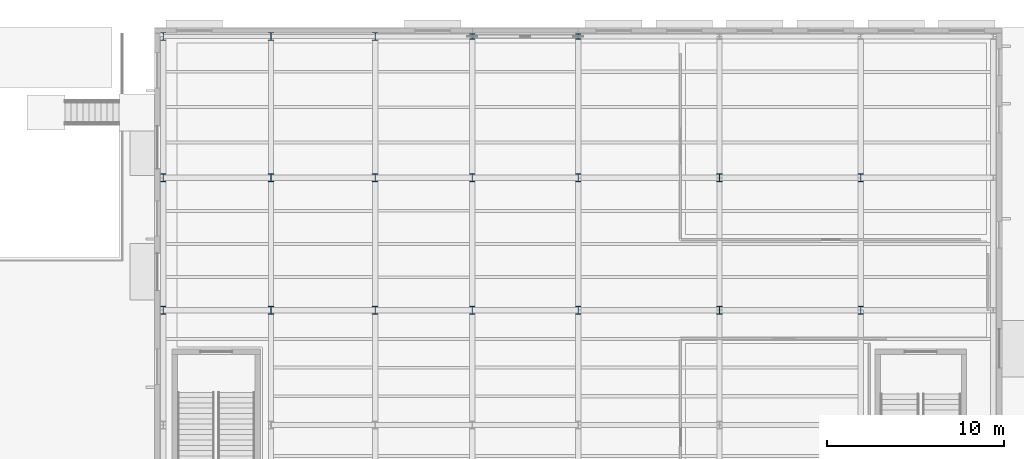
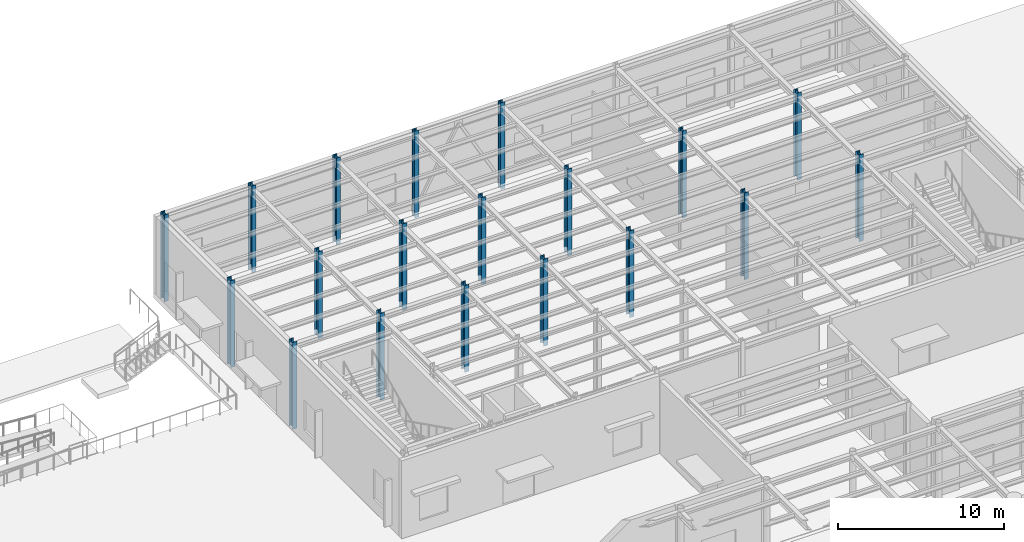
# One storey, part 11 of 118: 19 columns.
"""IFC4 building model written with IfcOpenShell, lengths in metres."""

from ifc_helpers import new_model, si_unit, direction, frame, origin, origin_2d, place, context, subcontext, project, spatial, i_section, extrude, material, material_profile, profile_set, type_object, element, save


model = new_model("IFC4")

# Units and contexts
model_context = context("Model", 3, precision=1e-05, world=origin(), true_north=direction((0.0, 1.0)))
body_context = subcontext(model_context, "Body", "Model", "MODEL_VIEW")
ifc_project = project(units=[si_unit("LENGTHUNIT", "METRE"), si_unit("AREAUNIT", "SQUARE_METRE"), si_unit("VOLUMEUNIT", "CUBIC_METRE"), si_unit("PLANEANGLEUNIT", "RADIAN"), si_unit("MASSUNIT", "GRAM", prefix="KILO")], contexts=[model_context])

# Site, building, storey
site_placement = place(None, origin())
site = spatial("IfcSite", under=ifc_project, at=site_placement, CompositionType="ELEMENT")
building_placement = place(site_placement, origin())
building = spatial("IfcBuilding", under=site, at=building_placement, Name="Kolvaren Corner Interchange", CompositionType="ELEMENT")
storey_placement = place(building_placement, origin())
storey = spatial("IfcBuildingStorey", under=building, at=storey_placement, Name="L01", CompositionType="ELEMENT", Elevation=0.0)

# Columns
ifc_material_1 = material(Name="Steel S355", Category="steel")
ifc_material_profile_1 = material_profile(ifc_material_1, i_section(OverallWidth=0.300048828125, OverallDepth=0.449951171875, WebThickness=0.013916015625, FlangeThickness=0.02587890625, FilletRadius=0.027099609375, at=origin_2d()), Name="HEB 450")
ifc_profile_set_1 = profile_set([ifc_material_profile_1], Name="Steel S355")
column_type_1 = type_object("IfcColumnType", Name="COL-HEB450", PredefinedType="COLUMN", material=ifc_profile_set_1)
for number, where, z_axis, x_axis, name in (
    (1, (66.5, 98.0, -0.39990234375), (0.0, 0.0, 1.0), (1.0, 0.0, 0.0), "Storey L01 Structural Column 0853"),
    (2, (66.5, 105.5, -0.39990234375), (0.0, 0.0, 1.0), (1.0, 0.0, 0.0), "Storey L01 Structural Column 0856"),
    (3, (66.5, 113.5, -0.39990234375), (0.0, 0.0, 1.0), (1.0, 0.0, 0.0), "Storey L01 Structural Column 0858"),
    (4, (72.60009765625, 98.0, -0.39990234375), (0.0, 0.0, 1.0), (1.0, 0.0, 0.0), "Storey L01 Structural Column 0866"),
    (5, (72.60009765625, 105.5, -0.39990234375), (0.0, 0.0, 1.0), (1.0, 0.0, 0.0), "Storey L01 Structural Column 0869"),
    (6, (72.60009765625, 113.5, -0.39990234375), (0.0, 0.0, 1.0), (1.0, 0.0, 0.0), "Storey L01 Structural Column 0871"),
    (7, (78.5, 98.0, -0.39990234375), (0.0, 0.0, 1.0), (1.0, 0.0, 0.0), "Storey L01 Structural Column 0879"),
    (8, (78.5, 105.5, -0.39990234375), (0.0, 0.0, 1.0), (1.0, 0.0, 0.0), "Storey L01 Structural Column 0882"),
    (9, (78.5, 113.5, -0.39990234375), (0.0, 0.0, 1.0), (1.0, 0.0, 0.0), "Storey L01 Structural Column 0884"),
    (10, (84.0, 98.0, -0.39990234375), (0.0, 0.0, 1.0), (1.0, 0.0, 0.0), "Storey L01 Structural Column 0890"),
    (11, (84.0, 105.5, -0.39990234375), (0.0, 0.0, 1.0), (1.0, 0.0, 0.0), "Storey L01 Structural Column 0892"),
    (12, (90.0, 98.0, -0.39990234375), (0.0, 0.0, 1.0), (1.0, 0.0, 0.0), "Storey L01 Structural Column 0900"),
    (13, (90.0, 105.5, -0.39990234375), (0.0, 0.0, 1.0), (1.0, 0.0, 0.0), "Storey L01 Structural Column 0902"),
    (14, (98.0, 98.0, -0.39990234375), (0.0, 0.0, 1.0), (1.0, 0.0, 0.0), "Storey L01 Structural Column 0910"),
    (15, (98.0, 105.5, -0.39990234375), (0.0, 0.0, 1.0), (1.0, 0.0, 0.0), "Storey L01 Structural Column 0912"),
    (16, (106.0, 98.0, -0.39990234375), (0.0, 0.0, 1.0), (1.0, 0.0, 0.0), "Storey L01 Structural Column 0920"),
    (17, (106.0, 105.5, -0.39990234375), (0.0, 0.0, 1.0), (1.0, 0.0, 0.0), "Storey L01 Structural Column 0922"),
):
    element("IfcColumn", number, at=place(storey_placement, frame(where, z_axis=z_axis, x_axis=x_axis)), inside=storey, type_object=column_type_1, Name=name, PredefinedType="COLUMN", context=body_context, shape_type="SweptSolid", body=[
        extrude(i_section(OverallWidth=0.300048828125, OverallDepth=0.449951171875, WebThickness=0.013916015625, FlangeThickness=0.02587890625, FilletRadius=0.027099609375, at=origin_2d()), origin(), (0.0, 0.0, 1.0), 6.39990234375),
    ])
ifc_material_2 = material(Name="Steel S355", Category="steel")
ifc_material_profile_2 = material_profile(ifc_material_2, i_section(OverallWidth=0.300048828125, OverallDepth=0.300048828125, WebThickness=0.010986328125, FlangeThickness=0.01904296875, FilletRadius=0.027099609375, at=origin_2d()), Name="HEB 300")
ifc_profile_set_2 = profile_set([ifc_material_profile_2], Name="Steel S355")
column_type_2 = type_object("IfcColumnType", Name="PIL-HEB300", PredefinedType="PILASTER", material=ifc_profile_set_2)
for number, where, z_axis, x_axis, name in (
    (18, (84.0, 113.5, -0.39990234375), (0.0, 0.0, 1.0), (1.0, 0.0, 0.0), "Storey L01 Structural Column 0894"),
    (19, (90.0, 113.5, -0.39990234375), (0.0, 0.0, 1.0), (1.0, 0.0, 0.0), "Storey L01 Structural Column 0904"),
):
    element("IfcColumn", number, at=place(storey_placement, frame(where, z_axis=z_axis, x_axis=x_axis)), inside=storey, type_object=column_type_2, Name=name, PredefinedType="PILASTER", context=body_context, shape_type="SweptSolid", body=[
        extrude(i_section(OverallWidth=0.300048828125, OverallDepth=0.300048828125, WebThickness=0.010986328125, FlangeThickness=0.01904296875, FilletRadius=0.027099609375, at=origin_2d()), origin(), (0.0, 0.0, 1.0), 6.39990234375),
    ])

save(model, "model.ifc")
